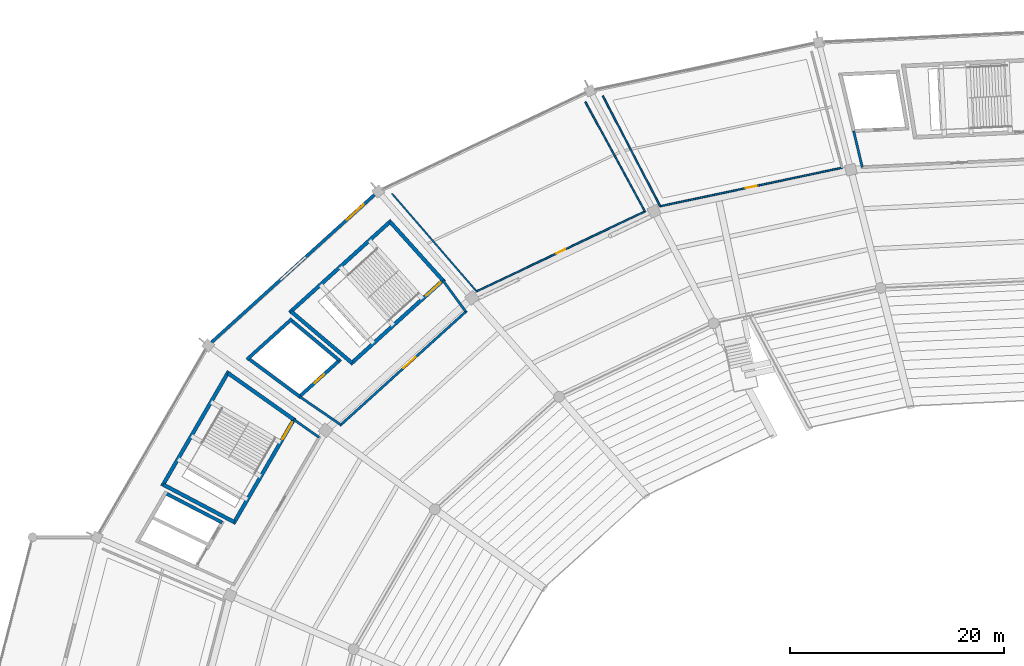
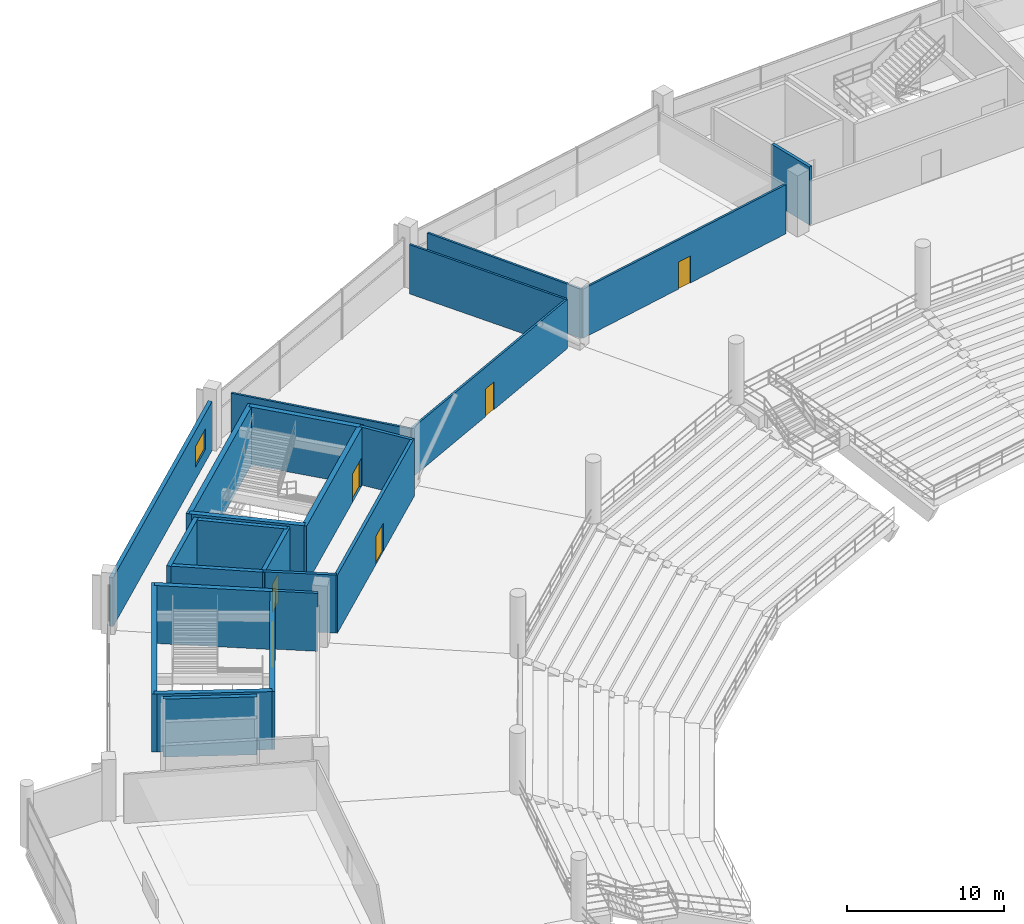
# One storey, part 106 of 156: 24 walls, 6 doors, 1 window, 7 openings.
"""IFC4 building model written with IfcOpenShell, lengths in metres."""

from ifc_helpers import new_model, si_unit, direction, frame, frame_2d, origin, place, context, subcontext, project, spatial, rectangle, extrude, material, layer, layer_set, type_object, element, fill, save


model = new_model("IFC4")

# Units and contexts
model_context = context("Model", 3, precision=1e-05, world=origin(), true_north=direction((0.0, 1.0)))
body_context = subcontext(model_context, "Body", "Model", "MODEL_VIEW")
ifc_project = project(units=[si_unit("LENGTHUNIT", "METRE"), si_unit("AREAUNIT", "SQUARE_METRE"), si_unit("VOLUMEUNIT", "CUBIC_METRE"), si_unit("PLANEANGLEUNIT", "RADIAN"), si_unit("MASSUNIT", "GRAM", prefix="KILO")], contexts=[model_context])

# Site, building, storey
site_placement = place(None, origin())
site = spatial("IfcSite", under=ifc_project, at=site_placement, CompositionType="ELEMENT")
building_placement = place(site_placement, origin())
building = spatial("IfcBuilding", under=site, at=building_placement, Name="Kazemori Nagisa Stadium", CompositionType="ELEMENT")
storey_placement = place(building_placement, frame((0.0, 0.0, 5.780029296875)))
storey = spatial("IfcBuildingStorey", under=building, at=storey_placement, Name="L01", CompositionType="ELEMENT", Elevation=5.780029296875)

# Wall, opening, door
ifc_material_1 = material(Name="Concrete C40/50 (Fc42)", Category="concrete")
ifc_layer_1 = layer(ifc_material_1, 0.35009765625, Name="Concrete C40/50 (Fc42)", Category="concrete")
ifc_layer_set_1 = layer_set([ifc_layer_1], Name="Concrete C40/50 (Fc42)")
wall_type_1 = type_object("IfcWallType", Name="Wall_W-CORE-350", PredefinedType="SHEAR", material=ifc_layer_set_1)
wall_1_placement = place(storey_placement, frame((66.583251953125, 164.860107421875, 0.0), z_axis=(0.0, 0.0, 1.0), x_axis=(-0.741348929385, -0.671119784315, 0.0)))
wall_1 = element("IfcWall", 1, at=wall_1_placement, inside=storey, type_object=wall_type_1, Name="Core stair front shear wall ST02 L01", PredefinedType="SHEAR", context=body_context, shape_type="SweptSolid", body=[
    extrude(rectangle(XDim=11.826416015625, YDim=0.35009765625, at=frame_2d((5.9130859375, 0.0))), origin(), (0.0, 0.0, 1.0), 4.5),
])
opening_1_placement = place(wall_1_placement, frame((0.47509765625, 0.0, 0.0)))
opening_1 = element("IfcOpeningElement", 2, at=opening_1_placement, cuts=wall_1, Name="Opening D-ST-1800", PredefinedType="OPENING", context=body_context, shape_type="SweptSolid", body=[
    extrude(rectangle(XDim=1.800048828125, YDim=2.199951171875, at=frame_2d((0.89990234375, 1.10009765625))), frame((0.0, 0.18505859375, 0.0), z_axis=(0.0, -1.0, 0.0), x_axis=(1.0, 0.0, 0.0)), (0.0, 0.0, 1.0), 0.3701171875),
])
ifc_material_2 = material(Name="Galvanised steel sheet", Category="steel")
door_type_1 = type_object("IfcDoorType", Name="Door_D-ST-1800", OperationType="NOTDEFINED", PredefinedType="DOOR", material=ifc_material_2)
door_1_placement = place(opening_1_placement, frame((1.800048828125, 0.0, 0.0), z_axis=(0.0, 0.0, 1.0), x_axis=(-1.0, 0.0, 0.0)))
door_1 = element("IfcDoor", 3, at=door_1_placement, inside=storey, type_object=door_type_1, Name="Exit stair fire door ST02-L01", OperationType="SINGLE_SWING_RIGHT", OverallHeight=2.199951171875, OverallWidth=1.800048828125, PredefinedType="DOOR", context=body_context, shape_type="SweptSolid", body=[
    extrude(rectangle(XDim=1.800048828125, YDim=2.199951171875, at=frame_2d((0.89990234375, 1.10009765625))), frame((0.0, 0.02490234375, 0.0), z_axis=(0.0, -1.0, 0.0), x_axis=(1.0, 0.0, 0.0)), (0.0, 0.0, 1.0), 0.050048828125),
])
fill(opening_1, door_1)

# Walls
wall_2_placement = place(storey_placement, frame((61.638671875, 170.3466796875, 0.0), z_axis=(0.0, 0.0, 1.0), x_axis=(-0.741351373721, -0.671117084183, 0.0)))
element("IfcWall", 4, at=wall_2_placement, inside=storey, type_object=wall_type_1, Name="Core stair rear shear wall ST02 L01", PredefinedType="SHEAR", context=body_context, shape_type="SweptSolid", body=[
    extrude(rectangle(XDim=12.830322265625, YDim=0.35009765625, at=frame_2d((6.4150390625, 0.0))), origin(), (0.0, 0.0, 1.0), 4.5),
])
wall_3_placement = place(storey_placement, frame((66.45361328125, 164.74267578125, 0.0), z_axis=(0.0, 0.0, 1.0), x_axis=(-0.669463145673, 0.742845270958, 0.0)))
element("IfcWall", 5, at=wall_3_placement, inside=storey, type_object=wall_type_1, Name="Core stair left shear wall ST02 L01", PredefinedType="SHEAR", context=body_context, shape_type="SweptSolid", body=[
    extrude(rectangle(XDim=7.385986328125, YDim=0.35009765625, at=frame_2d((3.69287109375, 0.0))), origin(), (0.0, 0.0, 1.0), 4.5),
])
wall_4_placement = place(storey_placement, frame((57.9453125, 157.04052734375, 0.0), z_axis=(0.0, 0.0, 1.0), x_axis=(-0.763422324031, 0.64589964791, 0.0)))
element("IfcWall", 6, at=wall_4_placement, inside=storey, type_object=wall_type_1, Name="Core stair right shear wall ST02 L01", PredefinedType="SHEAR", context=body_context, shape_type="SweptSolid", body=[
    extrude(rectangle(XDim=7.45166015625, YDim=0.35009765625, at=frame_2d((3.725830078125, 0.0))), origin(), (0.0, 0.0, 1.0), 4.5),
])

# Wall, opening, door
wall_5_placement = place(storey_placement, frame((52.6064453125, 151.89990234375, 0.0), z_axis=(0.0, 0.0, 1.0), x_axis=(-0.501587404838, -0.865106973332, 0.0)))
wall_5 = element("IfcWall", 7, at=wall_5_placement, inside=storey, type_object=wall_type_1, Name="Core stair front shear wall ST08 L01", PredefinedType="SHEAR", context=body_context, shape_type="SweptSolid", body=[
    extrude(rectangle(XDim=11.435302734375, YDim=0.35009765625, at=frame_2d((5.7177734375, 0.0))), origin(), (0.0, 0.0, 1.0), 4.5),
])
opening_2_placement = place(wall_5_placement, frame((0.47509765625, 0.0, 0.0)))
opening_2 = element("IfcOpeningElement", 8, at=opening_2_placement, cuts=wall_5, Name="Opening D-ST-1800", PredefinedType="OPENING", context=body_context, shape_type="SweptSolid", body=[
    extrude(rectangle(XDim=1.800048828125, YDim=2.199951171875, at=frame_2d((0.89990234375, 1.10009765625))), frame((0.0, 0.18505859375, 0.0), z_axis=(0.0, -1.0, 0.0), x_axis=(1.0, 0.0, 0.0)), (0.0, 0.0, 1.0), 0.3701171875),
])
door_2_placement = place(opening_2_placement, frame((1.800048828125, 0.0, 0.0), z_axis=(0.0, 0.0, 1.0), x_axis=(-1.0, 0.0, 0.0)))
door_2 = element("IfcDoor", 9, at=door_2_placement, inside=storey, type_object=door_type_1, Name="Exit stair fire door ST08-L01", OperationType="SINGLE_SWING_RIGHT", OverallHeight=2.199951171875, OverallWidth=1.800048828125, PredefinedType="DOOR", context=body_context, shape_type="SweptSolid", body=[
    extrude(rectangle(XDim=1.800048828125, YDim=2.199951171875, at=frame_2d((0.89990234375, 1.10009765625))), frame((0.0, 0.02490234375, 0.0), z_axis=(0.0, -1.0, 0.0), x_axis=(1.0, 0.0, 0.0)), (0.0, 0.0, 1.0), 0.050048828125),
])
fill(opening_2, door_2)

# Walls
wall_6_placement = place(storey_placement, frame((46.443359375, 156.25, 0.0), z_axis=(0.0, 0.0, 1.0), x_axis=(-0.501601740165, -0.865098661577, 0.0)))
element("IfcWall", 10, at=wall_6_placement, inside=storey, type_object=wall_type_1, Name="Core stair rear shear wall ST08 L01", PredefinedType="SHEAR", context=body_context, shape_type="SweptSolid", body=[
    extrude(rectangle(XDim=12.404541015625, YDim=0.35009765625, at=frame_2d((6.2021484375, 0.0))), origin(), (0.0, 0.0, 1.0), 4.5),
])
wall_7_placement = place(storey_placement, frame((52.518798828125, 151.748291015625, 0.0), z_axis=(0.0, 0.0, 1.0), x_axis=(-0.816983109824, 0.576661597701, 0.0)))
element("IfcWall", 11, at=wall_7_placement, inside=storey, type_object=wall_type_1, Name="Core stair left shear wall ST08 L01", PredefinedType="SHEAR", context=body_context, shape_type="SweptSolid", body=[
    extrude(rectangle(XDim=7.5439453125, YDim=0.35009765625, at=frame_2d((3.77197265625, 0.0))), origin(), (0.0, 0.0, 1.0), 4.5),
])
wall_8_placement = place(storey_placement, frame((46.958251953125, 142.15869140625, 0.0), z_axis=(0.0, 0.0, 1.0), x_axis=(-0.884271552762, 0.466973040952, 0.0)))
element("IfcWall", 12, at=wall_8_placement, inside=storey, type_object=wall_type_1, Name="Core stair right shear wall ST08 L01", PredefinedType="SHEAR", context=body_context, shape_type="SweptSolid", body=[
    extrude(rectangle(XDim=7.51953125, YDim=0.35009765625, at=frame_2d((3.759765625, 0.0))), origin(), (0.0, 0.0, 1.0), 4.5),
])

# Wall, opening, window
ifc_material_3 = material(Name="Concrete C40/50 (Fc42) precast", Category="concrete")
ifc_layer_2 = layer(ifc_material_3, 0.27490234375, Name="Concrete C40/50 (Fc42) precast", Category="concrete")
ifc_layer_set_2 = layer_set([ifc_layer_2], Name="Concrete C40/50 (Fc42) precast")
wall_type_2 = type_object("IfcWallType", Name="Wall_W-EXT-275", PredefinedType="SOLIDWALL", material=ifc_layer_set_2)
wall_9_placement = place(storey_placement, frame((60.075927734375, 172.763671875, 0.0), z_axis=(0.0, 0.0, 1.0), x_axis=(-0.741352367697, -0.671115986183, 0.0)))
wall_9 = element("IfcWall", 13, at=wall_9_placement, inside=storey, type_object=wall_type_2, Name="Exterior facade wall L01-11", PredefinedType="SOLIDWALL", context=body_context, shape_type="SweptSolid", body=[
    extrude(rectangle(XDim=20.56396484375, YDim=0.27490234375, at=frame_2d((10.281982421875, 0.0))), origin(), (0.0, 0.0, 1.0), 3.7978515625),
])
opening_3_placement = place(wall_9_placement, frame((1.39990234375, 0.0, 1.0)))
opening_3 = element("IfcOpeningElement", 14, at=opening_3_placement, cuts=wall_9, Name="Opening WIN-L01-2100", PredefinedType="OPENING", context=body_context, shape_type="SweptSolid", body=[
    extrude(rectangle(XDim=2.10009765625, YDim=1.60009765625, at=frame_2d((1.050048828125, 0.800048828125))), frame((0.0, 0.1474609375, 0.0), z_axis=(0.0, -1.0, 0.0), x_axis=(1.0, 0.0, 0.0)), (0.0, 0.0, 1.0), 0.294921875),
])
ifc_material_4 = material(Name="Low-e laminated double glazing", Category="glass")
window_type = type_object("IfcWindowType", Name="Window_WIN-L01-2100", PartitioningType="SINGLE_PANEL", PredefinedType="WINDOW", material=ifc_material_4)
window_placement = place(opening_3_placement, origin())
window = element("IfcWindow", 15, at=window_placement, inside=storey, type_object=window_type, Name="Core lobby window L01-11", OverallHeight=1.60009765625, OverallWidth=2.10009765625, PartitioningType="SINGLE_PANEL", PredefinedType="WINDOW", context=body_context, shape_type="SweptSolid", body=[
    extrude(rectangle(XDim=2.10009765625, YDim=1.60009765625, at=frame_2d((1.050048828125, 0.800048828125))), frame((0.0, 0.030029296875, 0.0), z_axis=(0.0, -1.0, 0.0), x_axis=(1.0, 0.0, 0.0)), (0.0, 0.0, 1.0), 0.06005859375),
])
fill(opening_3, window)

# Wall
ifc_material_5 = material(Name="Concrete C36/45 (Fc36)", Category="concrete")
ifc_layer_3 = layer(ifc_material_5, 0.219970703125, Name="Concrete C36/45 (Fc36)", Category="concrete")
ifc_layer_set_3 = layer_set([ifc_layer_3], Name="Concrete C36/45 (Fc36)")
wall_type_3 = type_object("IfcWallType", Name="Wall_W-LOBBY-220", PredefinedType="SOLIDWALL", material=ifc_layer_set_3)
wall_10_placement = place(storey_placement, frame((105.6376953125, 175.31103515625, 0.0), z_axis=(0.0, 0.0, 1.0), x_axis=(-0.230522067539, 0.973067097572, 0.0)))
element("IfcWall", 16, at=wall_10_placement, inside=storey, type_object=wall_type_3, Name="Core lobby right wall ST05 L01", PredefinedType="SOLIDWALL", context=body_context, shape_type="SweptSolid", body=[
    extrude(rectangle(XDim=3.49609375, YDim=0.219970703125, at=frame_2d((1.748046875, 0.0))), origin(), (0.0, 0.0, 1.0), 4.5),
])

# Wall, opening, door
wall_11_placement = place(storey_placement, frame((68.672607421875, 161.89794921875, 0.0), z_axis=(0.0, 0.0, 1.0), x_axis=(-0.741351035574, -0.671117457717, 0.0)))
wall_11 = element("IfcWall", 17, at=wall_11_placement, inside=storey, type_object=wall_type_3, Name="Core lobby fire wall ST02 L01", PredefinedType="SOLIDWALL", context=body_context, shape_type="SweptSolid", body=[
    extrude(rectangle(XDim=15.96923828125, YDim=0.219970703125, at=frame_2d((7.984619140625, 0.0))), origin(), (0.0, 0.0, 1.0), 4.5),
])
opening_4_placement = place(wall_11_placement, frame((6.447021484375, 0.0, 0.0)))
opening_4 = element("IfcOpeningElement", 18, at=opening_4_placement, cuts=wall_11, Name="Opening D-FFL-1500", PredefinedType="OPENING", context=body_context, shape_type="SweptSolid", body=[
    extrude(rectangle(XDim=1.5, YDim=2.199951171875, at=frame_2d((0.75, 1.10009765625))), frame((0.0, 0.119873046875, 0.0), z_axis=(0.0, -1.0, 0.0), x_axis=(1.0, 0.0, 0.0)), (0.0, 0.0, 1.0), 0.239990234375),
])
door_type_2 = type_object("IfcDoorType", Name="Door_D-FFL-1500", OperationType="NOTDEFINED", PredefinedType="DOOR", material=ifc_material_2)
door_3_placement = place(opening_4_placement, frame((1.5, 0.0, 0.0), z_axis=(0.0, 0.0, 1.0), x_axis=(-1.0, 0.0, 0.0)))
door_3 = element("IfcDoor", 19, at=door_3_placement, inside=storey, type_object=door_type_2, Name="Protected lobby fire door ST02-L01", OperationType="DOUBLE_DOOR_SINGLE_SWING", OverallHeight=2.199951171875, OverallWidth=1.5, PredefinedType="DOOR", context=body_context, shape_type="SweptSolid", body=[
    extrude(rectangle(XDim=1.5, YDim=2.199951171875, at=frame_2d((0.75, 1.10009765625))), frame((0.0, 0.02490234375, 0.0), z_axis=(0.0, -1.0, 0.0), x_axis=(1.0, 0.0, 0.0)), (0.0, 0.0, 1.0), 0.050048828125),
])
fill(opening_4, door_3)

# Walls
wall_12_placement = place(storey_placement, frame((68.591064453125, 161.823974609375, 0.0), z_axis=(0.0, 0.0, 1.0), x_axis=(-0.590836915359, 0.806791013491, 0.0)))
element("IfcWall", 20, at=wall_12_placement, inside=storey, type_object=wall_type_3, Name="Core lobby left wall ST02 L01", PredefinedType="SOLIDWALL", context=body_context, shape_type="SweptSolid", body=[
    extrude(rectangle(XDim=3.61767578125, YDim=0.219970703125, at=frame_2d((1.808837890625, 0.0))), origin(), (0.0, 0.0, 1.0), 4.5),
])
wall_13_placement = place(storey_placement, frame((56.915283203125, 151.25439453125, 0.0), z_axis=(0.0, 0.0, 1.0), x_axis=(-0.825385410642, 0.564569680287, 0.0)))
element("IfcWall", 21, at=wall_13_placement, inside=storey, type_object=wall_type_3, Name="Core lobby right wall ST02 L01", PredefinedType="SOLIDWALL", context=body_context, shape_type="SweptSolid", body=[
    extrude(rectangle(XDim=4.673828125, YDim=0.219970703125, at=frame_2d((2.3369140625, 0.0))), origin(), (0.0, 0.0, 1.0), 4.5),
])
wall_14_placement = place(storey_placement, frame((54.88916015625, 150.0751953125, 0.0), z_axis=(0.0, 0.0, 1.0), x_axis=(-0.816984187086, 0.57666007149, 0.0)))
element("IfcWall", 22, at=wall_14_placement, inside=storey, type_object=wall_type_3, Name="Core lobby left wall ST08 L01", PredefinedType="SOLIDWALL", context=body_context, shape_type="SweptSolid", body=[
    extrude(rectangle(XDim=2.9013671875, YDim=0.219970703125, at=frame_2d((1.45068359375, 0.0))), origin(), (0.0, 0.0, 1.0), 4.5),
])

# Wall, opening, door
ifc_material_6 = material(Name="Moisture-resistant gypsum board", Category="gypsum")
ifc_layer_4 = layer(ifc_material_6, 0.14990234375, Name="Moisture-resistant gypsum board", Category="gypsum")
ifc_layer_set_4 = layer_set([ifc_layer_4], Name="Moisture-resistant gypsum board")
wall_type_4 = type_object("IfcWallType", Name="Wall_W-PART-150", PredefinedType="PARTITIONING", material=ifc_layer_set_4)
wall_15_placement = place(storey_placement, frame((103.747802734375, 175.272216796875, 0.0), z_axis=(0.0, 0.0, 1.0), x_axis=(-0.978347075804, -0.206971010692, 0.0)))
wall_15 = element("IfcWall", 23, at=wall_15_placement, inside=storey, type_object=wall_type_4, Name="Room corridor partition L01-B09", PredefinedType="PARTITIONING", context=body_context, shape_type="SweptSolid", body=[
    extrude(rectangle(XDim=17.3681640625, YDim=0.14990234375, at=frame_2d((8.68408203125, 0.0))), origin(), (0.0, 0.0, 1.0), 3.820068359375),
])
opening_5_placement = place(wall_15_placement, frame((8.174072265625, 0.0, 0.0)))
opening_5 = element("IfcOpeningElement", 24, at=opening_5_placement, cuts=wall_15, Name="Opening D-STR-1020", PredefinedType="OPENING", context=body_context, shape_type="SweptSolid", body=[
    extrude(rectangle(XDim=1.02001953125, YDim=2.10009765625, at=frame_2d((0.510009765625, 1.050048828125))), frame((0.0, 0.0849609375, 0.0), z_axis=(0.0, -1.0, 0.0), x_axis=(1.0, 0.0, 0.0)), (0.0, 0.0, 1.0), 0.169921875),
])
ifc_material_7 = material(Name="Powder-coated steel sheet", Category="steel")
door_type_3 = type_object("IfcDoorType", Name="Door_D-STR-1020", OperationType="NOTDEFINED", PredefinedType="DOOR", material=ifc_material_7)
door_4_placement = place(opening_5_placement, origin())
door_4 = element("IfcDoor", 25, at=door_4_placement, inside=storey, type_object=door_type_3, Name="Room entrance door D-STR-1020 L01-B09", OperationType="SINGLE_SWING_LEFT", OverallHeight=2.10009765625, OverallWidth=1.02001953125, PredefinedType="DOOR", context=body_context, shape_type="SweptSolid", body=[
    extrude(rectangle(XDim=1.02001953125, YDim=2.10009765625, at=frame_2d((0.510009765625, 1.050048828125))), frame((0.0, 0.02490234375, 0.0), z_axis=(0.0, -1.0, 0.0), x_axis=(1.0, 0.0, 0.0)), (0.0, 0.0, 1.0), 0.050048828125),
])
fill(opening_5, door_4)

# Wall
wall_16_placement = place(storey_placement, frame((86.755615234375, 171.677490234375, 0.0), z_axis=(0.0, 0.0, 1.0), x_axis=(-0.46148287956, 0.88714911479, 0.0)))
element("IfcWall", 26, at=wall_16_placement, inside=storey, type_object=wall_type_4, Name="Room radial partition L01-B09-R", PredefinedType="PARTITIONING", context=body_context, shape_type="SweptSolid", body=[
    extrude(rectangle(XDim=11.635498046875, YDim=0.14990234375, at=frame_2d((5.81787109375, 0.0))), origin(), (0.0, 0.0, 1.0), 3.820068359375),
])

# Wall, opening, door
wall_17_placement = place(storey_placement, frame((85.332763671875, 171.196044921875, 0.0), z_axis=(0.0, 0.0, 1.0), x_axis=(-0.903217202186, -0.429183743488, 0.0)))
wall_17 = element("IfcWall", 27, at=wall_17_placement, inside=storey, type_object=wall_type_4, Name="Room corridor partition L01-B10", PredefinedType="PARTITIONING", context=body_context, shape_type="SweptSolid", body=[
    extrude(rectangle(XDim=17.419189453125, YDim=0.14990234375, at=frame_2d((8.70947265625, 0.0))), origin(), (0.0, 0.0, 1.0), 3.820068359375),
])
opening_6_placement = place(wall_17_placement, frame((8.235107421875, 0.0, 0.0)))
opening_6 = element("IfcOpeningElement", 28, at=opening_6_placement, cuts=wall_17, Name="Opening D-OFF-950", PredefinedType="OPENING", context=body_context, shape_type="SweptSolid", body=[
    extrude(rectangle(XDim=0.949951171875, YDim=2.14990234375, at=frame_2d((0.47509765625, 1.074951171875))), frame((0.0, 0.0849609375, 0.0), z_axis=(0.0, -1.0, 0.0), x_axis=(1.0, 0.0, 0.0)), (0.0, 0.0, 1.0), 0.169921875),
])
ifc_material_8 = material(Name="Oak timber veneer", Category="wood")
door_type_4 = type_object("IfcDoorType", Name="Door_D-OFF-950", OperationType="NOTDEFINED", PredefinedType="DOOR", material=ifc_material_8)
door_5_placement = place(opening_6_placement, origin())
door_5 = element("IfcDoor", 29, at=door_5_placement, inside=storey, type_object=door_type_4, Name="Room entrance door D-OFF-950 L01-B10", OperationType="SINGLE_SWING_RIGHT", OverallHeight=2.14990234375, OverallWidth=0.949951171875, PredefinedType="DOOR", context=body_context, shape_type="SweptSolid", body=[
    extrude(rectangle(XDim=0.949951171875, YDim=2.14990234375, at=frame_2d((0.47509765625, 1.074951171875))), frame((0.0, 0.02490234375, 0.0), z_axis=(0.0, -1.0, 0.0), x_axis=(1.0, 0.0, 0.0)), (0.0, 0.0, 1.0), 0.050048828125),
])
fill(opening_6, door_5)

# Walls
wall_18_placement = place(storey_placement, frame((85.332763671875, 171.196044921875, 0.0), z_axis=(0.0, 0.0, 1.0), x_axis=(-0.478125060974, 0.878291765912, 0.0)))
element("IfcWall", 30, at=wall_18_placement, inside=storey, type_object=wall_type_4, Name="Room radial partition L01-B10-L", PredefinedType="PARTITIONING", context=body_context, shape_type="SweptSolid", body=[
    extrude(rectangle(XDim=11.671875, YDim=0.14990234375, at=frame_2d((5.8359375, 0.0))), origin(), (0.0, 0.0, 1.0), 3.820068359375),
])
wall_19_placement = place(storey_placement, frame((69.599365234375, 163.719970703125, 0.0), z_axis=(0.0, 0.0, 1.0), x_axis=(-0.654293035882, 0.756241114458, 0.0)))
element("IfcWall", 31, at=wall_19_placement, inside=storey, type_object=wall_type_4, Name="Room radial partition L01-B10-R", PredefinedType="PARTITIONING", context=body_context, shape_type="SweptSolid", body=[
    extrude(rectangle(XDim=12.091064453125, YDim=0.14990234375, at=frame_2d((6.04541015625, 0.0))), origin(), (0.0, 0.0, 1.0), 3.820068359375),
])

# Wall, opening, door
ifc_layer_5 = layer(ifc_material_1, 0.300048828125, Name="Concrete C40/50 (Fc42)", Category="concrete")
ifc_layer_set_5 = layer_set([ifc_layer_5], Name="Concrete C40/50 (Fc42)")
wall_type_5 = type_object("IfcWallType", Name="Wall_W-SHAFT-300", PredefinedType="SHEAR", material=ifc_layer_set_5)
wall_20_placement = place(storey_placement, frame((56.89697265625, 157.368896484375, 0.0), z_axis=(0.0, 0.0, 1.0), x_axis=(-0.741350155641, -0.671118429736, 0.0)))
wall_20 = element("IfcWall", 32, at=wall_20_placement, inside=storey, type_object=wall_type_5, Name="Lift shaft front wall FL2 L01", PredefinedType="SHEAR", context=body_context, shape_type="SweptSolid", body=[
    extrude(rectangle(XDim=5.3291015625, YDim=0.300048828125, at=frame_2d((2.66455078125, 0.0))), origin(), (0.0, 0.0, 1.0), 4.5),
])
opening_7_placement = place(wall_20_placement, frame((2.06494140625, 0.0, 0.0)))
opening_7 = element("IfcOpeningElement", 33, at=opening_7_placement, cuts=wall_20, Name="Opening LD-FF", PredefinedType="OPENING", context=body_context, shape_type="SweptSolid", body=[
    extrude(rectangle(XDim=1.199951171875, YDim=2.199951171875, at=frame_2d((0.60009765625, 1.10009765625))), frame((0.0, 0.159912109375, 0.0), z_axis=(0.0, -1.0, 0.0), x_axis=(1.0, 0.0, 0.0)), (0.0, 0.0, 1.0), 0.320068359375),
])
ifc_material_9 = material(Name="Stainless steel SUS304", Category="steel")
door_type_5 = type_object("IfcDoorType", Name="Door_LD-FF", OperationType="SLIDING_TO_LEFT", PredefinedType="DOOR", material=ifc_material_9)
door_6_placement = place(opening_7_placement, origin())
door_6 = element("IfcDoor", 34, at=door_6_placement, inside=storey, type_object=door_type_5, Name="Lift landing door FL2-L01", OperationType="SLIDING_TO_LEFT", OverallHeight=2.199951171875, OverallWidth=1.199951171875, PredefinedType="DOOR", context=body_context, shape_type="SweptSolid", body=[
    extrude(rectangle(XDim=1.199951171875, YDim=2.199951171875, at=frame_2d((0.60009765625, 1.10009765625))), frame((0.0, 0.02490234375, 0.0), z_axis=(0.0, -1.0, 0.0), x_axis=(1.0, 0.0, 0.0)), (0.0, 0.0, 1.0), 0.050048828125),
])
fill(opening_7, door_6)

# Walls
wall_21_placement = place(storey_placement, frame((52.345703125, 161.167724609375, 0.0), z_axis=(0.0, 0.0, 1.0), x_axis=(-0.74134208775, -0.671127341815, 0.0)))
element("IfcWall", 35, at=wall_21_placement, inside=storey, type_object=wall_type_5, Name="Lift shaft B wall FL2 L01", PredefinedType="SHEAR", context=body_context, shape_type="SweptSolid", body=[
    extrude(rectangle(XDim=5.674560546875, YDim=0.300048828125, at=frame_2d((2.83740234375, 0.0))), origin(), (0.0, 0.0, 1.0), 4.5),
])
wall_22_placement = place(storey_placement, frame((56.785888671875, 157.26806640625, 0.0), z_axis=(0.0, 0.0, 1.0), x_axis=(-0.767711354146, 0.640795815151, 0.0)))
element("IfcWall", 36, at=wall_22_placement, inside=storey, type_object=wall_type_5, Name="Lift shaft L wall FL2 L01", PredefinedType="SHEAR", context=body_context, shape_type="SweptSolid", body=[
    extrude(rectangle(XDim=5.9287109375, YDim=0.300048828125, at=frame_2d((2.96435546875, 0.0))), origin(), (0.0, 0.0, 1.0), 4.5),
])
wall_23_placement = place(storey_placement, frame((53.0576171875, 153.89306640625, 0.0), z_axis=(0.0, 0.0, 1.0), x_axis=(-0.803101805449, 0.59584183311, 0.0)))
element("IfcWall", 37, at=wall_23_placement, inside=storey, type_object=wall_type_5, Name="Lift shaft R wall FL2 L01", PredefinedType="SHEAR", context=body_context, shape_type="SweptSolid", body=[
    extrude(rectangle(XDim=5.986328125, YDim=0.300048828125, at=frame_2d((2.9931640625, 0.0))), origin(), (0.0, 0.0, 1.0), 4.5),
])
wall_24_placement = place(storey_placement, frame((45.82470703125, 142.1240234375, 0.0), z_axis=(0.0, 0.0, 1.0), x_axis=(-0.887268274556, 0.461253735992, 0.0)))
element("IfcWall", 38, at=wall_24_placement, inside=storey, type_object=wall_type_5, Name="Lift shaft L wall LP6 L01", PredefinedType="SHEAR", context=body_context, shape_type="SweptSolid", body=[
    extrude(rectangle(XDim=5.97900390625, YDim=0.300048828125, at=frame_2d((2.989501953125, 0.0))), origin(), (0.0, 0.0, 1.0), 4.5),
])

save(model, "model.ifc")
